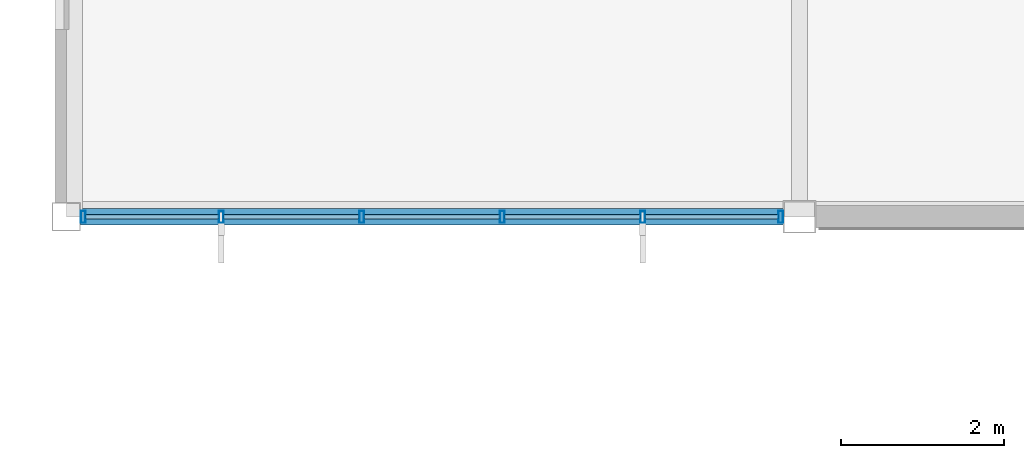
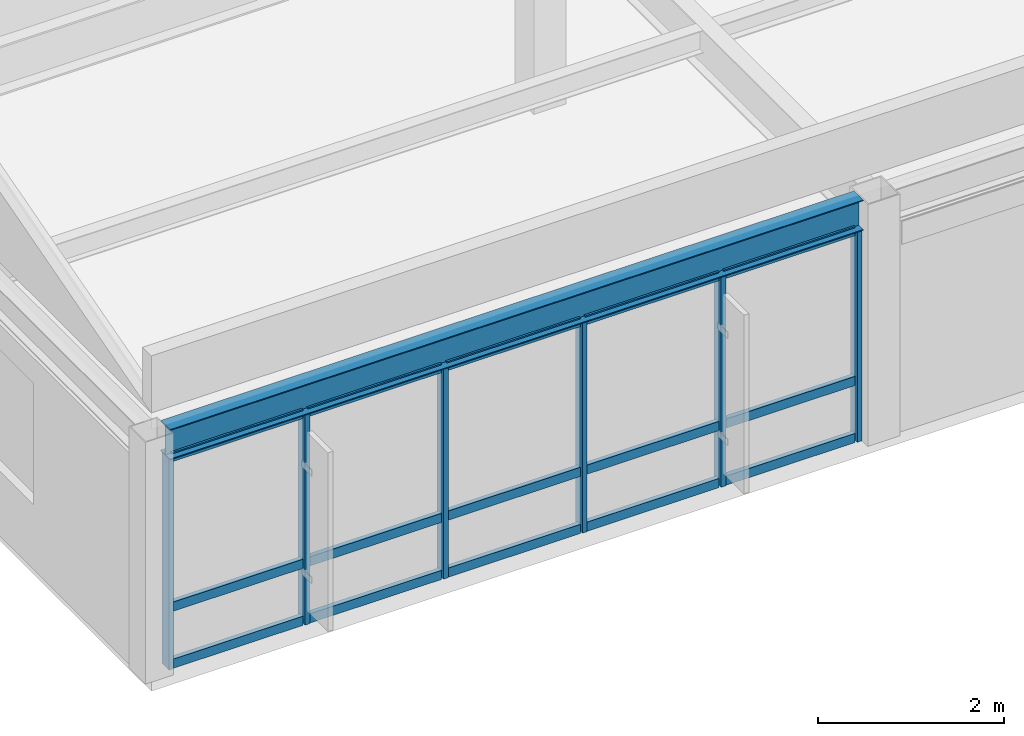
# One storey, part 4 of 43: 21 members, 1 beam, 1 element without a shape of its own.
"""IFC4 building model written with IfcOpenShell, lengths in metres."""

from ifc_helpers import new_model, si_unit, direction, frame, origin, origin_2d, place, context, subcontext, project, spatial, hollow_rectangle, i_section, extrude, material, material_profile, profile_set, type_object, element, aggregate, save


model = new_model("IFC4")

# Units and contexts
model_context = context("Model", 3, precision=1e-05, world=origin(), true_north=direction((0.0, 1.0)))
body_context = subcontext(model_context, "Body", "Model", "MODEL_VIEW")
ifc_project = project(units=[si_unit("LENGTHUNIT", "METRE"), si_unit("AREAUNIT", "SQUARE_METRE"), si_unit("VOLUMEUNIT", "CUBIC_METRE"), si_unit("PLANEANGLEUNIT", "RADIAN"), si_unit("MASSUNIT", "GRAM", prefix="KILO")], contexts=[model_context])

# Site, building, storey
site_placement = place(None, origin())
site = spatial("IfcSite", under=ifc_project, at=site_placement, CompositionType="ELEMENT")
building_placement = place(site_placement, origin())
building = spatial("IfcBuilding", under=site, at=building_placement, Name="Kazanami Central Library", CompositionType="ELEMENT")
storey_placement = place(building_placement, frame((0.0, 0.0, 20.60009765625)))
storey = spatial("IfcBuildingStorey", under=building, at=storey_placement, Name="L06", CompositionType="ELEMENT", Elevation=20.60009765625)

# Beam
ifc_material_1 = material(Name="Steel SN490B (325 MPa)", Category="steel")
ifc_material_profile_1 = material_profile(ifc_material_1, i_section(OverallWidth=0.199951171875, OverallDepth=0.39990234375, WebThickness=0.008056640625, FlangeThickness=0.012939453125, at=origin_2d()), Name="H-400x200x8x13")
ifc_profile_set_1 = profile_set([ifc_material_profile_1], Name="Steel SN490B (325 MPa)")
beam_type = type_object("IfcBeamType", Name="BM-SP-3", PredefinedType="SPANDREL", material=ifc_profile_set_1)
beam_placement = place(storey_placement, frame((0.173095703125, 64.800048828125, 2.97998046875), z_axis=(1.0, 0.0, 0.0), x_axis=(0.0, 1.0, 0.0)))
element("IfcBeam", 1, at=beam_placement, inside=storey, type_object=beam_type, Name="Girder SP-3 L06 K/1-2", PredefinedType="SPANDREL", context=body_context, shape_type="SweptSolid", body=[
    extrude(i_section(OverallWidth=0.199951171875, OverallDepth=0.39990234375, WebThickness=0.008056640625, FlangeThickness=0.012939453125, at=origin_2d()), origin(), (0.0, 0.0, 1.0), 8.62890625),
])

# Curtain wall, members
ifc_material_2 = material(Name="Acid-Etched Low-E Laminated Glass", Category="glass")
curtain_wall_type = type_object("IfcCurtainWallType", Name="CW-8625x2780-M180", PredefinedType="USERDEFINED", material=ifc_material_2)
curtain_wall_placement = place(storey_placement, origin())
curtain_wall = element("IfcCurtainWall", 2, at=curtain_wall_placement, inside=storey, type_object=curtain_wall_type, Name="Unitised Curtain Wall CW-56 L06 S-K-00", ObjectType="UNITISED CURTAIN WALL", PredefinedType="USERDEFINED")
ifc_material_3 = material(Name="Anodised Aluminium A6063-T5", Category="aluminium")
ifc_material_profile_2 = material_profile(ifc_material_3, hollow_rectangle(XDim=0.06005859375, YDim=0.14990234375, WallThickness=0.00390625, at=origin_2d()), Name="ALU-MULL-60x150x4")
ifc_profile_set_2 = profile_set([ifc_material_profile_2], Name="Anodised Aluminium A6063-T5")
member_type_1 = type_object("IfcMemberType", Name="MEM-CW-M3", PredefinedType="MULLION", material=ifc_profile_set_2)
member_1_placement = place(storey_placement, frame((0.205078125, 64.800048828125, 0.0), z_axis=(0.0, 0.0, 1.0), x_axis=(1.0, 0.0, 0.0)))
member_1 = element("IfcMember", 3, at=member_1_placement, type_object=member_type_1, Name="CW-56 mullion 1", PredefinedType="MULLION", context=body_context, shape_type="SweptSolid", body=[
    extrude(hollow_rectangle(XDim=0.06005859375, YDim=0.14990234375, WallThickness=0.00390625, at=origin_2d()), origin(), (0.0, 0.0, 1.0), 2.77978515625),
])
member_2_placement = place(storey_placement, frame((1.89990234375, 64.800048828125, 0.0), z_axis=(0.0, 0.0, 1.0), x_axis=(1.0, 0.0, 0.0)))
member_2 = element("IfcMember", 4, at=member_2_placement, type_object=member_type_1, Name="CW-56 mullion 2", PredefinedType="MULLION", context=body_context, shape_type="SweptSolid", body=[
    extrude(hollow_rectangle(XDim=0.06005859375, YDim=0.14990234375, WallThickness=0.00390625, at=origin_2d()), origin(), (0.0, 0.0, 1.0), 2.77978515625),
])
member_3_placement = place(storey_placement, frame((3.625, 64.800048828125, 0.0), z_axis=(0.0, 0.0, 1.0), x_axis=(1.0, 0.0, 0.0)))
member_3 = element("IfcMember", 5, at=member_3_placement, type_object=member_type_1, Name="CW-56 mullion 3", PredefinedType="MULLION", context=body_context, shape_type="SweptSolid", body=[
    extrude(hollow_rectangle(XDim=0.06005859375, YDim=0.14990234375, WallThickness=0.00390625, at=origin_2d()), origin(), (0.0, 0.0, 1.0), 2.77978515625),
])
member_4_placement = place(storey_placement, frame((5.35009765625, 64.800048828125, 0.0), z_axis=(0.0, 0.0, 1.0), x_axis=(1.0, 0.0, 0.0)))
member_4 = element("IfcMember", 6, at=member_4_placement, type_object=member_type_1, Name="CW-56 mullion 4", PredefinedType="MULLION", context=body_context, shape_type="SweptSolid", body=[
    extrude(hollow_rectangle(XDim=0.06005859375, YDim=0.14990234375, WallThickness=0.00390625, at=origin_2d()), origin(), (0.0, 0.0, 1.0), 2.77978515625),
])
member_5_placement = place(storey_placement, frame((7.074951171875, 64.800048828125, 0.0), z_axis=(0.0, 0.0, 1.0), x_axis=(1.0, 0.0, 0.0)))
member_5 = element("IfcMember", 7, at=member_5_placement, type_object=member_type_1, Name="CW-56 mullion 5", PredefinedType="MULLION", context=body_context, shape_type="SweptSolid", body=[
    extrude(hollow_rectangle(XDim=0.06005859375, YDim=0.14990234375, WallThickness=0.00390625, at=origin_2d()), origin(), (0.0, 0.0, 1.0), 2.77978515625),
])
member_6_placement = place(storey_placement, frame((8.77001953125, 64.800048828125, 0.0), z_axis=(0.0, 0.0, 1.0), x_axis=(1.0, 0.0, 0.0)))
member_6 = element("IfcMember", 8, at=member_6_placement, type_object=member_type_1, Name="CW-56 mullion 6", PredefinedType="MULLION", context=body_context, shape_type="SweptSolid", body=[
    extrude(hollow_rectangle(XDim=0.06005859375, YDim=0.14990234375, WallThickness=0.00390625, at=origin_2d()), origin(), (0.0, 0.0, 1.0), 2.77978515625),
])
ifc_material_profile_3 = material_profile(ifc_material_3, hollow_rectangle(XDim=0.06005859375, YDim=0.1201171875, WallThickness=0.00341796875, at=origin_2d()), Name="ALU-TRAN-60x120x3.5")
ifc_profile_set_3 = profile_set([ifc_material_profile_3], Name="Anodised Aluminium A6063-T5")
member_type_2 = type_object("IfcMemberType", Name="MEM-CW-T3", PredefinedType="USERDEFINED", material=ifc_profile_set_3)
member_7_placement = place(storey_placement, frame((0.235107421875, 64.800048828125, 0.02978515625), z_axis=(1.0, 0.0, 0.0), x_axis=(0.0, 1.0, 0.0)))
member_7 = element("IfcMember", 9, at=member_7_placement, type_object=member_type_2, Name="CW-56 transom 1.1", ObjectType="TRANSOM", PredefinedType="USERDEFINED", context=body_context, shape_type="SweptSolid", body=[
    extrude(hollow_rectangle(XDim=0.06005859375, YDim=0.1201171875, WallThickness=0.00341796875, at=origin_2d()), origin(), (0.0, 0.0, 1.0), 1.635009765625),
])
member_8_placement = place(storey_placement, frame((0.235107421875, 64.800048828125, 0.77978515625), z_axis=(1.0, 0.0, 0.0), x_axis=(0.0, 1.0, 0.0)))
member_8 = element("IfcMember", 10, at=member_8_placement, type_object=member_type_2, Name="CW-56 transom 1.2", ObjectType="TRANSOM", PredefinedType="USERDEFINED", context=body_context, shape_type="SweptSolid", body=[
    extrude(hollow_rectangle(XDim=0.06005859375, YDim=0.1201171875, WallThickness=0.00341796875, at=origin_2d()), origin(), (0.0, 0.0, 1.0), 1.635009765625),
])
member_9_placement = place(storey_placement, frame((0.235107421875, 64.800048828125, 2.75), z_axis=(1.0, 0.0, 0.0), x_axis=(0.0, 1.0, 0.0)))
member_9 = element("IfcMember", 11, at=member_9_placement, type_object=member_type_2, Name="CW-56 transom 1.3", ObjectType="TRANSOM", PredefinedType="USERDEFINED", context=body_context, shape_type="SweptSolid", body=[
    extrude(hollow_rectangle(XDim=0.06005859375, YDim=0.1201171875, WallThickness=0.00341796875, at=origin_2d()), origin(), (0.0, 0.0, 1.0), 1.635009765625),
])
member_10_placement = place(storey_placement, frame((1.929931640625, 64.800048828125, 0.02978515625), z_axis=(1.0, 0.0, 0.0), x_axis=(0.0, 1.0, 0.0)))
member_10 = element("IfcMember", 12, at=member_10_placement, type_object=member_type_2, Name="CW-56 transom 2.1", ObjectType="TRANSOM", PredefinedType="USERDEFINED", context=body_context, shape_type="SweptSolid", body=[
    extrude(hollow_rectangle(XDim=0.06005859375, YDim=0.1201171875, WallThickness=0.00341796875, at=origin_2d()), origin(), (0.0, 0.0, 1.0), 1.6650390625),
])
member_11_placement = place(storey_placement, frame((1.929931640625, 64.800048828125, 0.77978515625), z_axis=(1.0, 0.0, 0.0), x_axis=(0.0, 1.0, 0.0)))
member_11 = element("IfcMember", 13, at=member_11_placement, type_object=member_type_2, Name="CW-56 transom 2.2", ObjectType="TRANSOM", PredefinedType="USERDEFINED", context=body_context, shape_type="SweptSolid", body=[
    extrude(hollow_rectangle(XDim=0.06005859375, YDim=0.1201171875, WallThickness=0.00341796875, at=origin_2d()), origin(), (0.0, 0.0, 1.0), 1.6650390625),
])
member_12_placement = place(storey_placement, frame((1.929931640625, 64.800048828125, 2.75), z_axis=(1.0, 0.0, 0.0), x_axis=(0.0, 1.0, 0.0)))
member_12 = element("IfcMember", 14, at=member_12_placement, type_object=member_type_2, Name="CW-56 transom 2.3", ObjectType="TRANSOM", PredefinedType="USERDEFINED", context=body_context, shape_type="SweptSolid", body=[
    extrude(hollow_rectangle(XDim=0.06005859375, YDim=0.1201171875, WallThickness=0.00341796875, at=origin_2d()), origin(), (0.0, 0.0, 1.0), 1.6650390625),
])
member_13_placement = place(storey_placement, frame((3.655029296875, 64.800048828125, 0.02978515625), z_axis=(1.0, 0.0, 0.0), x_axis=(0.0, 1.0, 0.0)))
member_13 = element("IfcMember", 15, at=member_13_placement, type_object=member_type_2, Name="CW-56 transom 3.1", ObjectType="TRANSOM", PredefinedType="USERDEFINED", context=body_context, shape_type="SweptSolid", body=[
    extrude(hollow_rectangle(XDim=0.06005859375, YDim=0.1201171875, WallThickness=0.00341796875, at=origin_2d()), origin(), (0.0, 0.0, 1.0), 1.6650390625),
])
member_14_placement = place(storey_placement, frame((3.655029296875, 64.800048828125, 0.77978515625), z_axis=(1.0, 0.0, 0.0), x_axis=(0.0, 1.0, 0.0)))
member_14 = element("IfcMember", 16, at=member_14_placement, type_object=member_type_2, Name="CW-56 transom 3.2", ObjectType="TRANSOM", PredefinedType="USERDEFINED", context=body_context, shape_type="SweptSolid", body=[
    extrude(hollow_rectangle(XDim=0.06005859375, YDim=0.1201171875, WallThickness=0.00341796875, at=origin_2d()), origin(), (0.0, 0.0, 1.0), 1.6650390625),
])
member_15_placement = place(storey_placement, frame((3.655029296875, 64.800048828125, 2.75), z_axis=(1.0, 0.0, 0.0), x_axis=(0.0, 1.0, 0.0)))
member_15 = element("IfcMember", 17, at=member_15_placement, type_object=member_type_2, Name="CW-56 transom 3.3", ObjectType="TRANSOM", PredefinedType="USERDEFINED", context=body_context, shape_type="SweptSolid", body=[
    extrude(hollow_rectangle(XDim=0.06005859375, YDim=0.1201171875, WallThickness=0.00341796875, at=origin_2d()), origin(), (0.0, 0.0, 1.0), 1.6650390625),
])
member_16_placement = place(storey_placement, frame((5.3798828125, 64.800048828125, 0.02978515625), z_axis=(1.0, 0.0, 0.0), x_axis=(0.0, 1.0, 0.0)))
member_16 = element("IfcMember", 18, at=member_16_placement, type_object=member_type_2, Name="CW-56 transom 4.1", ObjectType="TRANSOM", PredefinedType="USERDEFINED", context=body_context, shape_type="SweptSolid", body=[
    extrude(hollow_rectangle(XDim=0.06005859375, YDim=0.1201171875, WallThickness=0.00341796875, at=origin_2d()), origin(), (0.0, 0.0, 1.0), 1.6650390625),
])
member_17_placement = place(storey_placement, frame((5.3798828125, 64.800048828125, 0.77978515625), z_axis=(1.0, 0.0, 0.0), x_axis=(0.0, 1.0, 0.0)))
member_17 = element("IfcMember", 19, at=member_17_placement, type_object=member_type_2, Name="CW-56 transom 4.2", ObjectType="TRANSOM", PredefinedType="USERDEFINED", context=body_context, shape_type="SweptSolid", body=[
    extrude(hollow_rectangle(XDim=0.06005859375, YDim=0.1201171875, WallThickness=0.00341796875, at=origin_2d()), origin(), (0.0, 0.0, 1.0), 1.6650390625),
])
member_18_placement = place(storey_placement, frame((5.3798828125, 64.800048828125, 2.75), z_axis=(1.0, 0.0, 0.0), x_axis=(0.0, 1.0, 0.0)))
member_18 = element("IfcMember", 20, at=member_18_placement, type_object=member_type_2, Name="CW-56 transom 4.3", ObjectType="TRANSOM", PredefinedType="USERDEFINED", context=body_context, shape_type="SweptSolid", body=[
    extrude(hollow_rectangle(XDim=0.06005859375, YDim=0.1201171875, WallThickness=0.00341796875, at=origin_2d()), origin(), (0.0, 0.0, 1.0), 1.6650390625),
])
member_19_placement = place(storey_placement, frame((7.10498046875, 64.800048828125, 0.02978515625), z_axis=(1.0, 0.0, 0.0), x_axis=(0.0, 1.0, 0.0)))
member_19 = element("IfcMember", 21, at=member_19_placement, type_object=member_type_2, Name="CW-56 transom 5.1", ObjectType="TRANSOM", PredefinedType="USERDEFINED", context=body_context, shape_type="SweptSolid", body=[
    extrude(hollow_rectangle(XDim=0.06005859375, YDim=0.1201171875, WallThickness=0.00341796875, at=origin_2d()), origin(), (0.0, 0.0, 1.0), 1.635009765625),
])
member_20_placement = place(storey_placement, frame((7.10498046875, 64.800048828125, 0.77978515625), z_axis=(1.0, 0.0, 0.0), x_axis=(0.0, 1.0, 0.0)))
member_20 = element("IfcMember", 22, at=member_20_placement, type_object=member_type_2, Name="CW-56 transom 5.2", ObjectType="TRANSOM", PredefinedType="USERDEFINED", context=body_context, shape_type="SweptSolid", body=[
    extrude(hollow_rectangle(XDim=0.06005859375, YDim=0.1201171875, WallThickness=0.00341796875, at=origin_2d()), origin(), (0.0, 0.0, 1.0), 1.635009765625),
])
member_21_placement = place(storey_placement, frame((7.10498046875, 64.800048828125, 2.75), z_axis=(1.0, 0.0, 0.0), x_axis=(0.0, 1.0, 0.0)))
member_21 = element("IfcMember", 23, at=member_21_placement, type_object=member_type_2, Name="CW-56 transom 5.3", ObjectType="TRANSOM", PredefinedType="USERDEFINED", context=body_context, shape_type="SweptSolid", body=[
    extrude(hollow_rectangle(XDim=0.06005859375, YDim=0.1201171875, WallThickness=0.00341796875, at=origin_2d()), origin(), (0.0, 0.0, 1.0), 1.635009765625),
])
aggregate(curtain_wall, [member_1, member_2, member_3, member_4, member_5, member_6, member_7, member_8, member_9, member_10, member_11, member_12, member_13, member_14, member_15, member_16, member_17, member_18, member_19, member_20, member_21])

save(model, "model.ifc")
